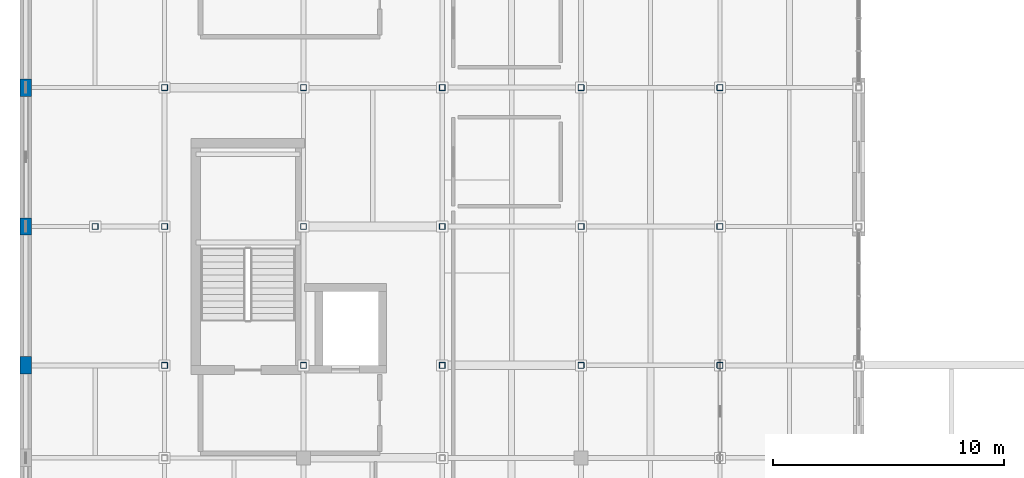
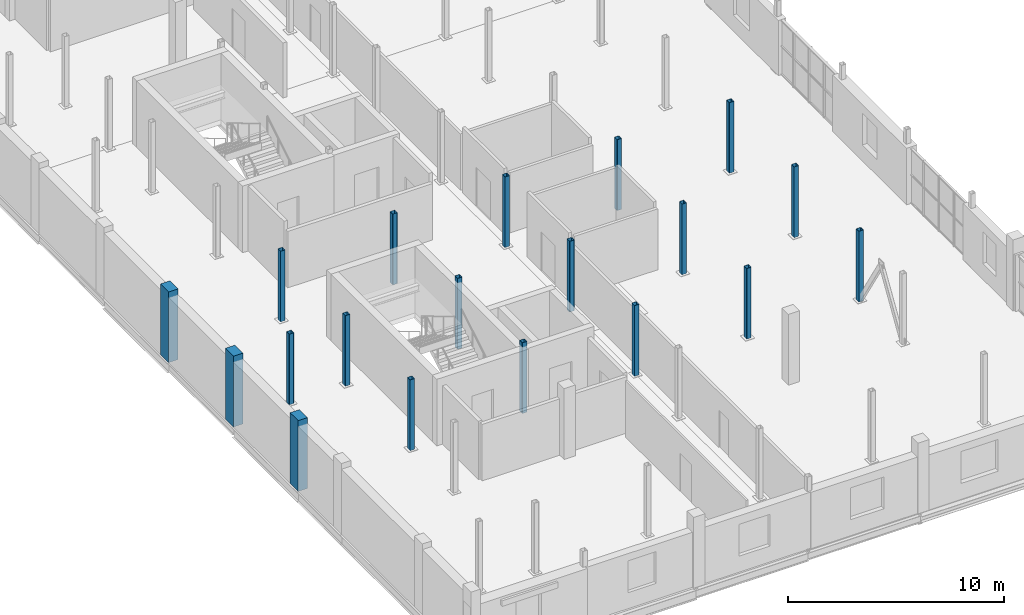
# One storey, part 2 of 96: 19 columns.
"""IFC4 building model written with IfcOpenShell, lengths in metres."""

from ifc_helpers import new_model, si_unit, direction, frame, origin, origin_2d, place, context, subcontext, project, spatial, rectangle, hollow_rectangle, extrude, material, material_profile, profile_set, type_object, element, save


model = new_model("IFC4")

# Units and contexts
model_context = context("Model", 3, precision=1e-05, world=origin(), true_north=direction((0.0, 1.0)))
body_context = subcontext(model_context, "Body", "Model", "MODEL_VIEW")
ifc_project = project(units=[si_unit("LENGTHUNIT", "METRE"), si_unit("AREAUNIT", "SQUARE_METRE"), si_unit("VOLUMEUNIT", "CUBIC_METRE"), si_unit("PLANEANGLEUNIT", "RADIAN"), si_unit("MASSUNIT", "GRAM", prefix="KILO")], contexts=[model_context])

# Site, building, storey
site_placement = place(None, origin())
site = spatial("IfcSite", under=ifc_project, at=site_placement, CompositionType="ELEMENT")
building_placement = place(site_placement, origin())
building = spatial("IfcBuilding", under=site, at=building_placement, Name="Verrall Gate Interchange", CompositionType="ELEMENT")
storey_placement = place(building_placement, frame((0.0, 0.0, 11.39990234375)))
storey = spatial("IfcBuildingStorey", under=building, at=storey_placement, Name="L03", CompositionType="ELEMENT", Elevation=11.39990234375)

# Columns
ifc_material_1 = material(Name="Concrete CSA A23.1 40 MPa (Class C-1)", Category="concrete")
ifc_material_profile_1 = material_profile(ifc_material_1, rectangle(XDim=0.5, YDim=0.75, at=origin_2d()), Name="RC500x750")
ifc_profile_set_1 = profile_set([ifc_material_profile_1], Name="Concrete CSA A23.1 40 MPa (Class C-1)")
column_type_1 = type_object("IfcColumnType", Name="C-05 Pilaster RC500x750", PredefinedType="PILASTER", material=ifc_profile_set_1)
for number, where, z_axis, x_axis, name in (
    (1, (0.0, 16.0, 0.0), (0.0, 0.0, 1.0), (1.0, 0.0, 0.0), "L03 Column COL-L03-0027 (C-05)"),
    (2, (0.0, 22.0, 0.0), (0.0, 0.0, 1.0), (1.0, 0.0, 0.0), "L03 Column COL-L03-0034 (C-05)"),
    (3, (0.0, 28.0, 0.0), (0.0, 0.0, 1.0), (1.0, 0.0, 0.0), "L03 Column COL-L03-0041 (C-05)"),
):
    element("IfcColumn", number, at=place(storey_placement, frame(where, z_axis=z_axis, x_axis=x_axis)), inside=storey, type_object=column_type_1, Name=name, PredefinedType="PILASTER", context=body_context, shape_type="SweptSolid", body=[
        extrude(rectangle(XDim=0.5, YDim=0.75, at=origin_2d()), origin(), (0.0, 0.0, 1.0), 4.0),
    ])
ifc_material_2 = material(Name="Structural Steel CSA G40.21 350WT Cat 4", Category="steel")
ifc_material_profile_2 = material_profile(ifc_material_2, hollow_rectangle(XDim=0.25390625, YDim=0.25390625, WallThickness=0.009521484375, InnerFilletRadius=0.009521484375, OuterFilletRadius=0.01904296875, at=origin_2d()), Name="HSS254x254x9.5")
ifc_profile_set_2 = profile_set([ifc_material_profile_2], Name="Structural Steel CSA G40.21 350WT Cat 4")
column_type_2 = type_object("IfcColumnType", Name="C-13 Column HSS254x254x9.5", PredefinedType="COLUMN", material=ifc_profile_set_2)
for number, where, z_axis, x_axis, name in (
    (4, (3.0, 22.0, 0.0), (0.0, 0.0, 1.0), (1.0, 0.0, 0.0), "L03 Column COL-L03-0112 (C-13)"),
    (5, (6.0, 16.0, 0.0), (0.0, 0.0, 1.0), (1.0, 0.0, 0.0), "L03 Column COL-L03-0158 (C-13)"),
    (6, (6.0, 22.0, 0.0), (0.0, 0.0, 1.0), (1.0, 0.0, 0.0), "L03 Column COL-L03-0167 (C-13)"),
    (7, (6.0, 28.0, 0.0), (0.0, 0.0, 1.0), (1.0, 0.0, 0.0), "L03 Column COL-L03-0176 (C-13)"),
    (8, (12.0, 16.0, 0.0), (0.0, 0.0, 1.0), (1.0, 0.0, 0.0), "L03 Column COL-L03-0275 (C-13)"),
    (9, (12.0, 22.0, 0.0), (0.0, 0.0, 1.0), (1.0, 0.0, 0.0), "L03 Column COL-L03-0284 (C-13)"),
    (10, (12.0, 28.0, 0.0), (0.0, 0.0, 1.0), (1.0, 0.0, 0.0), "L03 Column COL-L03-0293 (C-13)"),
    (11, (18.0, 16.0, 0.0), (0.0, 0.0, 1.0), (1.0, 0.0, 0.0), "L03 Column COL-L03-0392 (C-13)"),
    (12, (18.0, 22.0, 0.0), (0.0, 0.0, 1.0), (1.0, 0.0, 0.0), "L03 Column COL-L03-0401 (C-13)"),
    (13, (18.0, 28.0, 0.0), (0.0, 0.0, 1.0), (1.0, 0.0, 0.0), "L03 Column COL-L03-0410 (C-13)"),
    (14, (24.0, 16.0, 0.0), (0.0, 0.0, 1.0), (1.0, 0.0, 0.0), "L03 Column COL-L03-0509 (C-13)"),
    (15, (24.0, 22.0, 0.0), (0.0, 0.0, 1.0), (1.0, 0.0, 0.0), "L03 Column COL-L03-0518 (C-13)"),
    (16, (24.0, 28.0, 0.0), (0.0, 0.0, 1.0), (1.0, 0.0, 0.0), "L03 Column COL-L03-0527 (C-13)"),
    (17, (30.0, 16.0, 0.0), (0.0, 0.0, 1.0), (1.0, 0.0, 0.0), "L03 Column COL-L03-0626 (C-13)"),
    (18, (30.0, 22.0, 0.0), (0.0, 0.0, 1.0), (1.0, 0.0, 0.0), "L03 Column COL-L03-0635 (C-13)"),
    (19, (30.0, 28.0, 0.0), (0.0, 0.0, 1.0), (1.0, 0.0, 0.0), "L03 Column COL-L03-0644 (C-13)"),
):
    element("IfcColumn", number, at=place(storey_placement, frame(where, z_axis=z_axis, x_axis=x_axis)), inside=storey, type_object=column_type_2, Name=name, PredefinedType="COLUMN", context=body_context, shape_type="SweptSolid", body=[
        extrude(hollow_rectangle(XDim=0.25390625, YDim=0.25390625, WallThickness=0.009521484375, InnerFilletRadius=0.009521484375, OuterFilletRadius=0.01904296875, at=origin_2d()), origin(), (0.0, 0.0, 1.0), 4.0),
    ])

save(model, "model.ifc")
